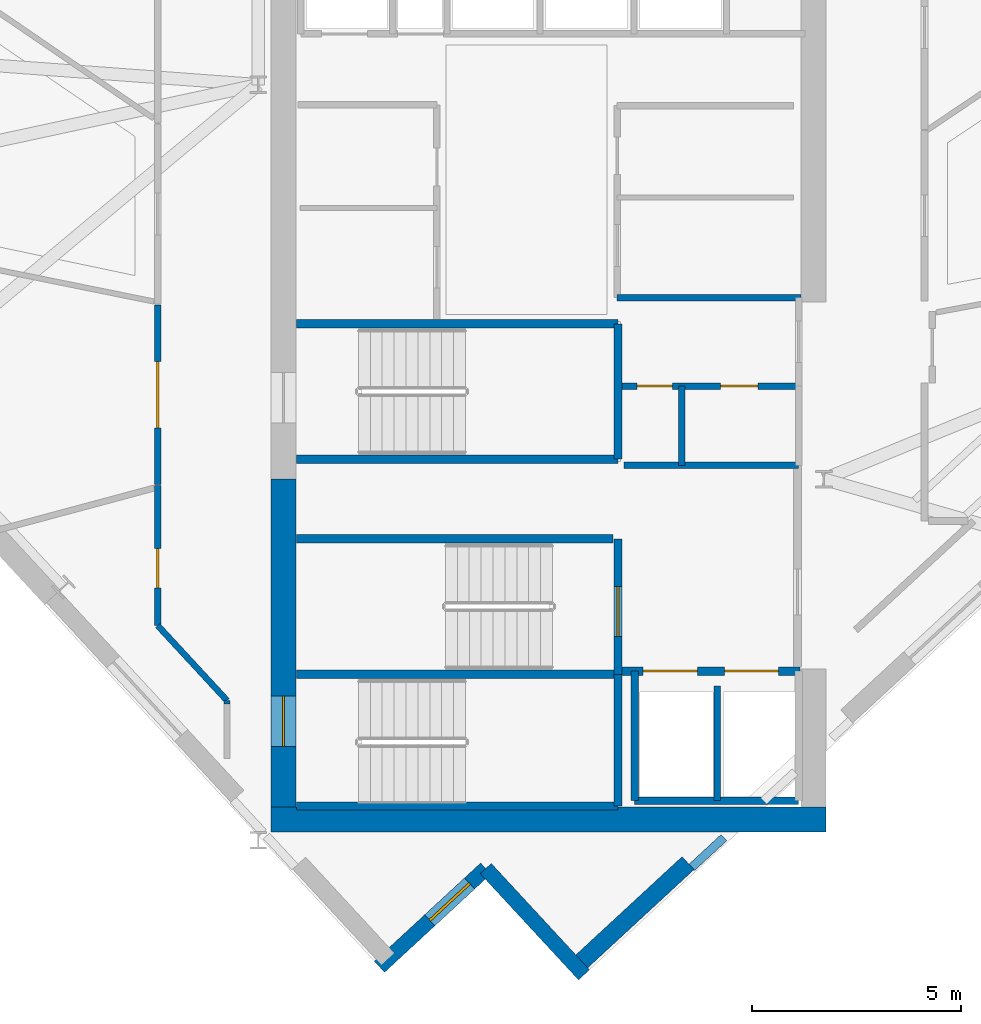
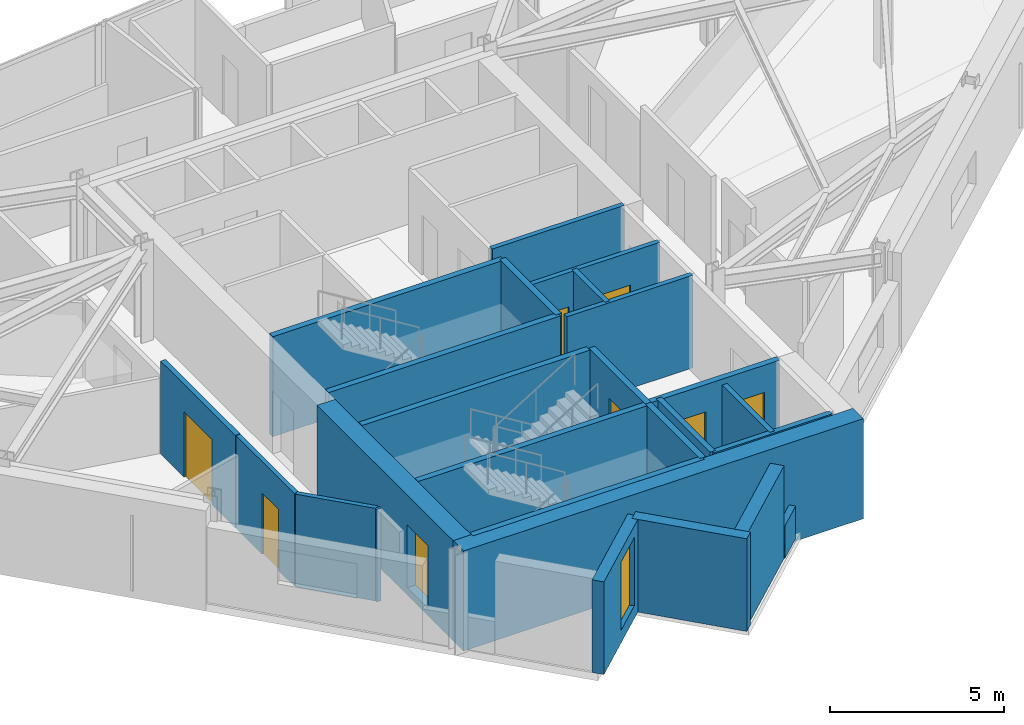
# One storey, part 9 of 14: 26 walls, 8 doors, 1 window, 9 openings.
"""IFC4 building model written with IfcOpenShell, lengths in metres."""

from ifc_helpers import new_model, si_unit, direction, frame, frame_2d, origin, place, context, subcontext, project, spatial, rectangle, extrude, material, layer, layer_set, type_object, element, fill, save


model = new_model("IFC4")

# Units and contexts
model_context = context("Model", 3, precision=1e-05, world=origin(), true_north=direction((0.0, 1.0)))
body_context = subcontext(model_context, "Body", "Model", "MODEL_VIEW")
ifc_project = project(units=[si_unit("LENGTHUNIT", "METRE"), si_unit("AREAUNIT", "SQUARE_METRE"), si_unit("VOLUMEUNIT", "CUBIC_METRE"), si_unit("PLANEANGLEUNIT", "RADIAN"), si_unit("MASSUNIT", "GRAM", prefix="KILO")], contexts=[model_context])

# Site, building, storey
site_placement = place(None, origin())
site = spatial("IfcSite", under=ifc_project, at=site_placement, CompositionType="ELEMENT")
building_placement = place(site_placement, origin())
building = spatial("IfcBuilding", under=site, at=building_placement, Name="Narakoshi Arena Tower", CompositionType="ELEMENT")
storey_placement = place(building_placement, frame((0.0, 0.0, 288.89990234375)))
storey = spatial("IfcBuildingStorey", under=building, at=storey_placement, Name="L79", CompositionType="ELEMENT", Elevation=288.89990234375)

# Wall, opening, door
ifc_material_1 = material(Name="Concrete C50/60", Category="concrete")
ifc_layer_1 = layer(ifc_material_1, 0.60009765625)
ifc_layer_set_1 = layer_set([ifc_layer_1], Name="Concrete C50/60")
wall_type_1 = type_object("IfcWallType", Name="WL-CORE-600", PredefinedType="SHEAR", material=ifc_layer_set_1)
wall_1_placement = place(storey_placement, frame((72.60009765625, 35.5, -0.260009765625), z_axis=(0.0, 0.0, 1.0), x_axis=(0.0, 1.0, 0.0)))
wall_1 = element("IfcWall", 1, at=wall_1_placement, inside=storey, type_object=wall_type_1, Name="L79 Central Core Shear Wall CW-APX-W", PredefinedType="SHEAR", context=body_context, shape_type="SweptSolid", body=[
    extrude(rectangle(XDim=7.85009765625, YDim=0.60009765625, at=frame_2d((3.925048828125, 0.0))), origin(), (0.0, 0.0, 1.0), 3.52001953125),
])
opening_1_placement = place(wall_1_placement, frame((1.449951171875, 0.0, 0.260009765625)))
opening_1 = element("IfcOpeningElement", 2, at=opening_1_placement, cuts=wall_1, Name="Opening D-03", PredefinedType="OPENING", context=body_context, shape_type="SweptSolid", body=[
    extrude(rectangle(XDim=1.199951171875, YDim=2.199951171875, at=frame_2d((0.60009765625, 1.10009765625))), frame((0.0, 0.31005859375, 0.0), z_axis=(0.0, -1.0, 0.0), x_axis=(1.0, 0.0, 0.0)), (0.0, 0.0, 1.0), 0.6201171875),
])
ifc_material_2 = material(Name="Painted galvanized steel", Category="steel")
door_type_1 = type_object("IfcDoorType", Name="DR-STR-1200", OperationType="NOTDEFINED", PredefinedType="USERDEFINED", material=ifc_material_2)
door_1_placement = place(opening_1_placement, frame((1.199951171875, 0.0, 0.0), z_axis=(0.0, 0.0, 1.0), x_axis=(-1.0, 0.0, 0.0)))
door_1 = element("IfcDoor", 3, at=door_1_placement, inside=storey, type_object=door_type_1, Name="DR-L79-001", ObjectType="EXITDOOR", OperationType="SINGLE_SWING_LEFT", OverallHeight=2.199951171875, OverallWidth=1.199951171875, PredefinedType="USERDEFINED", context=body_context, shape_type="SweptSolid", body=[
    extrude(rectangle(XDim=1.199951171875, YDim=2.199951171875, at=frame_2d((0.60009765625, 1.10009765625))), frame((0.0, 0.02490234375, 0.0), z_axis=(0.0, -1.0, 0.0), x_axis=(1.0, 0.0, 0.0)), (0.0, 0.0, 1.0), 0.050048828125),
])
fill(opening_1, door_1)

# Wall
wall_2_placement = place(storey_placement, frame((72.300048828125, 35.199951171875, -0.260009765625), z_axis=(0.0, 0.0, 1.0), x_axis=(1.0, 0.0, 0.0)))
element("IfcWall", 4, at=wall_2_placement, inside=storey, type_object=wall_type_1, Name="L79 Central Core Shear Wall CW-APX-S", PredefinedType="SHEAR", context=body_context, shape_type="SweptSolid", body=[
    extrude(rectangle(XDim=13.300048828125, YDim=0.60009765625, at=frame_2d((6.64990234375, 0.0))), origin(), (0.0, 0.0, 1.0), 3.52001953125),
])

# Wall, opening, door
ifc_material_3 = material(Name="Gypsum plasterboard fire-rated partition")
ifc_layer_2 = layer(ifc_material_3, 0.1650390625)
ifc_layer_set_2 = layer_set([ifc_layer_2], Name="Gypsum plasterboard fire-rated partition")
wall_type_2 = type_object("IfcWallType", Name="WL-CORR-165", PredefinedType="PARTITIONING", material=ifc_layer_set_2)
wall_3_placement = place(storey_placement, frame((69.591552734375, 47.526611328125, 0.0), z_axis=(0.0, 0.0, 1.0), x_axis=(0.0, -1.0, 0.0)))
wall_3 = element("IfcWall", 5, at=wall_3_placement, inside=storey, type_object=wall_type_2, Name="L79 Corridor Partition 09-1", PredefinedType="PARTITIONING", context=body_context, shape_type="SweptSolid", body=[
    extrude(rectangle(XDim=4.30419921875, YDim=0.1650390625, at=frame_2d((2.152099609375, 0.0))), origin(), (0.0, 0.0, 1.0), 3.260009765625),
])
opening_2_placement = place(wall_3_placement, frame((1.35205078125, 0.0, 0.0)))
opening_2 = element("IfcOpeningElement", 6, at=opening_2_placement, cuts=wall_3, Name="Opening D-05", PredefinedType="OPENING", context=body_context, shape_type="SweptSolid", body=[
    extrude(rectangle(XDim=1.60009765625, YDim=2.300048828125, at=frame_2d((0.800048828125, 1.14990234375))), frame((0.0, 0.092529296875, 0.0), z_axis=(0.0, -1.0, 0.0), x_axis=(1.0, 0.0, 0.0)), (0.0, 0.0, 1.0), 0.18505859375),
])
ifc_material_4 = material(Name="Stained oak solid-core timber", Category="wood")
door_type_2 = type_object("IfcDoorType", Name="DR-STE-1600", OperationType="DOUBLE_DOOR_SINGLE_SWING", PredefinedType="DOOR", material=ifc_material_4)
door_2_placement = place(opening_2_placement, frame((1.60009765625, 0.0, 0.0), z_axis=(0.0, 0.0, 1.0), x_axis=(-1.0, 0.0, 0.0)))
door_2 = element("IfcDoor", 7, at=door_2_placement, inside=storey, type_object=door_type_2, Name="DR-L79-024", OperationType="DOUBLE_DOOR_SINGLE_SWING", OverallHeight=2.300048828125, OverallWidth=1.60009765625, PredefinedType="DOOR", context=body_context, shape_type="SweptSolid", body=[
    extrude(rectangle(XDim=1.60009765625, YDim=2.300048828125, at=frame_2d((0.800048828125, 1.14990234375))), frame((0.0, 0.02490234375, 0.0), z_axis=(0.0, -1.0, 0.0), x_axis=(1.0, 0.0, 0.0)), (0.0, 0.0, 1.0), 0.050048828125),
])
fill(opening_2, door_2)

# Walls
ifc_material_5 = material(Name="Precast concrete C45/55", Category="concrete")
ifc_layer_3 = layer(ifc_material_5, 0.25)
ifc_layer_set_3 = layer_set([ifc_layer_3], Name="Precast concrete C45/55")
wall_type_3 = type_object("IfcWallType", Name="WL-PARA-250", PredefinedType="PARAPET", material=ifc_layer_set_3)
wall_4_placement = place(storey_placement, frame((83.15625, 34.760009765625, 0.0), z_axis=(0.0, 0.0, 1.0), x_axis=(-0.734364355784, -0.678755473609, 0.0)))
element("IfcWall", 8, at=wall_4_placement, inside=storey, type_object=wall_type_3, Name="L79 Crown Sill Upstand Parapet 05", PredefinedType="PARAPET", context=body_context, shape_type="SweptSolid", body=[
    extrude(rectangle(XDim=1.044921875, YDim=0.199951171875, at=frame_2d((0.5224609375, 0.0))), origin(), (0.0, 0.0, 1.0), 1.150146484375),
])
ifc_layer_4 = layer(ifc_material_5, 0.419921875)
ifc_layer_set_4 = layer_set([ifc_layer_4], Name="Precast concrete C45/55")
wall_type_4 = type_object("IfcWallType", Name="WL-POD-420", PredefinedType="SOLIDWALL", material=ifc_layer_set_4)
wall_5_placement = place(storey_placement, frame((79.618896484375, 31.674072265625, 0.0), z_axis=(0.0, 0.0, 1.0), x_axis=(0.734338793707, 0.678783128884, 0.0)))
element("IfcWall", 9, at=wall_5_placement, inside=storey, type_object=wall_type_4, Name="L79 Architectural Concrete Facade Wall LEGA-1", PredefinedType="SOLIDWALL", context=body_context, shape_type="SweptSolid", body=[
    extrude(rectangle(XDim=3.6474609375, YDim=0.419921875, at=frame_2d((1.82373046875, 0.0))), origin(), (0.0, 0.0, 1.0), 3.260009765625),
])

# Wall, opening, window
wall_6_placement = place(storey_placement, frame((74.9033203125, 31.664794921875, 0.0), z_axis=(0.0, 0.0, 1.0), x_axis=(0.734325680362, 0.678797315228, 0.0)))
wall_6 = element("IfcWall", 10, at=wall_6_placement, inside=storey, type_object=wall_type_4, Name="L79 Re-Entrant Corner Notch Wall NTA-1", PredefinedType="SOLIDWALL", context=body_context, shape_type="SweptSolid", body=[
    extrude(rectangle(XDim=3.468994140625, YDim=0.360107421875, at=frame_2d((1.734375, 0.0))), origin(), (0.0, 0.0, 1.0), 3.260009765625),
])
opening_3_placement = place(wall_6_placement, frame((1.64306640625, 0.0, 0.449951171875)))
opening_3 = element("IfcOpeningElement", 11, at=opening_3_placement, cuts=wall_6, Name="Opening WN-06", PredefinedType="OPENING", context=body_context, shape_type="SweptSolid", body=[
    extrude(rectangle(XDim=1.300048828125, YDim=2.39990234375, at=frame_2d((0.64990234375, 1.199951171875))), frame((0.0, 0.18994140625, 0.0), z_axis=(0.0, -1.0, 0.0), x_axis=(1.0, 0.0, 0.0)), (0.0, 0.0, 1.0), 0.380126953125),
])
ifc_material_6 = material(Name="Bronze-tinted low-E laminated glass", Category="glass")
window_type = type_object("IfcWindowType", Name="WIN-NTC-16x24", PartitioningType="SINGLE_PANEL", PredefinedType="WINDOW", material=ifc_material_6)
window_placement = place(opening_3_placement, origin())
window = element("IfcWindow", 12, at=window_placement, inside=storey, type_object=window_type, Name="L79 Corner Notch Window NTA", OverallHeight=2.39990234375, OverallWidth=1.300048828125, PartitioningType="SINGLE_PANEL", PredefinedType="WINDOW", context=body_context, shape_type="SweptSolid", body=[
    extrude(rectangle(XDim=1.300048828125, YDim=2.39990234375, at=frame_2d((0.64990234375, 1.199951171875))), frame((0.0, 0.030029296875, 0.0), z_axis=(0.0, -1.0, 0.0), x_axis=(1.0, 0.0, 0.0)), (0.0, 0.0, 1.0), 0.06005859375),
])
fill(opening_3, window)

# Walls
wall_7_placement = place(storey_placement, frame((77.45068359375, 34.01953125, 0.0), z_axis=(0.0, 0.0, 1.0), x_axis=(0.678835262818, -0.734290600481, 0.0)))
element("IfcWall", 13, at=wall_7_placement, inside=storey, type_object=wall_type_4, Name="L79 Re-Entrant Corner Notch Wall NTA-2", PredefinedType="SOLIDWALL", context=body_context, shape_type="SweptSolid", body=[
    extrude(rectangle(XDim=3.46923828125, YDim=0.360107421875, at=frame_2d((1.734619140625, 0.0))), origin(), (0.0, 0.0, 1.0), 3.260009765625),
])
ifc_material_7 = material(Name="Concrete C40/50", Category="concrete")
ifc_layer_5 = layer(ifc_material_7, 0.280029296875)
ifc_layer_set_5 = layer_set([ifc_layer_5], Name="Concrete C40/50")
wall_type_5 = type_object("IfcWallType", Name="WL-RISER-280", PredefinedType="PLUMBINGWALL", material=ifc_layer_set_5)
wall_8_placement = place(storey_placement, frame((83.0, 35.64990234375, 0.0), z_axis=(0.0, 0.0, 1.0), x_axis=(0.0, 1.0, 0.0)))
element("IfcWall", 14, at=wall_8_placement, inside=storey, type_object=wall_type_5, Name="L79 Core Wall FF-DIV", PredefinedType="PLUMBINGWALL", context=body_context, shape_type="SweptSolid", body=[
    extrude(rectangle(XDim=2.75, YDim=0.159912109375, at=frame_2d((1.375, 0.0))), origin(), (0.0, 0.0, 1.0), 3.260009765625),
])

# Wall, openings, doors
wall_9_placement = place(storey_placement, frame((80.719970703125, 45.580078125, 0.0), z_axis=(0.0, 0.0, 1.0), x_axis=(1.0, 0.0, 0.0)))
wall_9 = element("IfcWall", 15, at=wall_9_placement, inside=storey, type_object=wall_type_5, Name="L79 Core Wall RSR-N", PredefinedType="PLUMBINGWALL", context=body_context, shape_type="SweptSolid", body=[
    extrude(rectangle(XDim=4.22998046875, YDim=0.159912109375, at=frame_2d((2.114990234375, 0.0))), origin(), (0.0, 0.0, 1.0), 3.260009765625),
])
opening_4_placement = place(wall_9_placement, frame((0.35009765625, 0.0, 0.0)))
opening_4 = element("IfcOpeningElement", 16, at=opening_4_placement, cuts=wall_9, Name="Opening D-10", PredefinedType="OPENING", context=body_context, shape_type="SweptSolid", body=[
    extrude(rectangle(XDim=0.85009765625, YDim=2.050048828125, at=frame_2d((0.425048828125, 1.02490234375))), frame((0.0, 0.08984375, 0.0), z_axis=(0.0, -1.0, 0.0), x_axis=(1.0, 0.0, 0.0)), (0.0, 0.0, 1.0), 0.179931640625),
])
opening_5_placement = place(wall_9_placement, frame((2.35009765625, 0.0, 0.0)))
opening_5 = element("IfcOpeningElement", 17, at=opening_5_placement, cuts=wall_9, Name="Opening D-08", PredefinedType="OPENING", context=body_context, shape_type="SweptSolid", body=[
    extrude(rectangle(XDim=0.89990234375, YDim=2.10009765625, at=frame_2d((0.449951171875, 1.050048828125))), frame((0.0, 0.08984375, 0.0), z_axis=(0.0, -1.0, 0.0), x_axis=(1.0, 0.0, 0.0)), (0.0, 0.0, 1.0), 0.179931640625),
])
door_type_3 = type_object("IfcDoorType", Name="DR-RSR-850", OperationType="NOTDEFINED", PredefinedType="DOOR", material=ifc_material_2)
door_3_placement = place(opening_4_placement, frame((0.85009765625, 0.0, 0.0), z_axis=(0.0, 0.0, 1.0), x_axis=(-1.0, 0.0, 0.0)))
door_3 = element("IfcDoor", 18, at=door_3_placement, inside=storey, type_object=door_type_3, Name="DR-L79-008", OperationType="SINGLE_SWING_LEFT", OverallHeight=2.050048828125, OverallWidth=0.85009765625, PredefinedType="DOOR", context=body_context, shape_type="SweptSolid", body=[
    extrude(rectangle(XDim=0.85009765625, YDim=2.050048828125, at=frame_2d((0.425048828125, 1.02490234375))), frame((0.0, 0.02490234375, 0.0), z_axis=(0.0, -1.0, 0.0), x_axis=(1.0, 0.0, 0.0)), (0.0, 0.0, 1.0), 0.050048828125),
])
fill(opening_4, door_3)
ifc_material_8 = material(Name="Moisture-resistant laminate timber", Category="wood")
door_type_4 = type_object("IfcDoorType", Name="DR-WC-900", OperationType="NOTDEFINED", PredefinedType="DOOR", material=ifc_material_8)
door_4_placement = place(opening_5_placement, frame((0.89990234375, 0.0, 0.0), z_axis=(0.0, 0.0, 1.0), x_axis=(-1.0, 0.0, 0.0)))
door_4 = element("IfcDoor", 19, at=door_4_placement, inside=storey, type_object=door_type_4, Name="DR-L79-009", OperationType="SINGLE_SWING_RIGHT", OverallHeight=2.10009765625, OverallWidth=0.89990234375, PredefinedType="DOOR", context=body_context, shape_type="SweptSolid", body=[
    extrude(rectangle(XDim=0.89990234375, YDim=2.10009765625, at=frame_2d((0.449951171875, 1.050048828125))), frame((0.0, 0.02490234375, 0.0), z_axis=(0.0, -1.0, 0.0), x_axis=(1.0, 0.0, 0.0)), (0.0, 0.0, 1.0), 0.050048828125),
])
fill(opening_5, door_4)

# Walls
wall_10_placement = place(storey_placement, frame((80.760009765625, 43.679931640625, 0.0), z_axis=(0.0, 0.0, 1.0), x_axis=(1.0, 0.0, 0.0)))
element("IfcWall", 20, at=wall_10_placement, inside=storey, type_object=wall_type_5, Name="L79 Core Wall RSR-S", PredefinedType="PLUMBINGWALL", context=body_context, shape_type="SweptSolid", body=[
    extrude(rectangle(XDim=4.18994140625, YDim=0.159912109375, at=frame_2d((2.094970703125, 0.0))), origin(), (0.0, 0.0, 1.0), 3.260009765625),
])
wall_11_placement = place(storey_placement, frame((82.14990234375, 43.679931640625, 0.0), z_axis=(0.0, 0.0, 1.0), x_axis=(0.0, 1.0, 0.0)))
element("IfcWall", 21, at=wall_11_placement, inside=storey, type_object=wall_type_5, Name="L79 Core Wall RSR-M", PredefinedType="PLUMBINGWALL", context=body_context, shape_type="SweptSolid", body=[
    extrude(rectangle(XDim=1.900146484375, YDim=0.159912109375, at=frame_2d((0.9501953125, 0.0))), origin(), (0.0, 0.0, 1.0), 3.260009765625),
])
ifc_layer_6 = layer(ifc_material_1, 0.35009765625)
ifc_layer_set_6 = layer_set([ifc_layer_6], Name="Concrete C50/60")
wall_type_6 = type_object("IfcWallType", Name="WL-SHAFT-350", PredefinedType="SOLIDWALL", material=ifc_layer_set_6)
for number, where, z_axis, x_axis, name in (
    (22, (72.919921875, 35.52001953125, -0.260009765625), (0.0, 0.0, 1.0), (1.0, 0.0, 0.0), "L79 Core Wall ST1-S"),
    (23, (72.919921875, 38.675048828125, -0.260009765625), (0.0, 0.0, 1.0), (1.0, 0.0, 0.0), "L79 Core Wall ST12-DIV"),
):
    element("IfcWall", number, at=place(storey_placement, frame(where, z_axis=z_axis, x_axis=x_axis)), inside=storey, type_object=wall_type_6, Name=name, PredefinedType="SOLIDWALL", context=body_context, shape_type="SweptSolid", body=[
        extrude(rectangle(XDim=7.7001953125, YDim=0.199951171875, at=frame_2d((3.85009765625, 0.0))), origin(), (0.0, 0.0, 1.0), 3.52001953125),
    ])
wall_12_placement = place(storey_placement, frame((80.6201171875, 35.52001953125, -0.260009765625), z_axis=(0.0, 0.0, 1.0), x_axis=(0.0, 1.0, 0.0)))
element("IfcWall", 24, at=wall_12_placement, inside=storey, type_object=wall_type_6, Name="L79 Core Wall ST1-E", PredefinedType="SOLIDWALL", context=body_context, shape_type="SweptSolid", body=[
    extrude(rectangle(XDim=3.155029296875, YDim=0.199951171875, at=frame_2d((1.57763671875, 0.0))), origin(), (0.0, 0.0, 1.0), 3.52001953125),
])

# Wall, opening, door
wall_13_placement = place(storey_placement, frame((80.6201171875, 38.675048828125, -0.260009765625), z_axis=(0.0, 0.0, 1.0), x_axis=(0.0, 1.0, 0.0)))
wall_13 = element("IfcWall", 25, at=wall_13_placement, inside=storey, type_object=wall_type_6, Name="L79 Core Wall ST2-E", PredefinedType="SOLIDWALL", context=body_context, shape_type="SweptSolid", body=[
    extrude(rectangle(XDim=3.244873046875, YDim=0.199951171875, at=frame_2d((1.62255859375, 0.0))), origin(), (0.0, 0.0, 1.0), 3.52001953125),
])
opening_6_placement = place(wall_13_placement, frame((0.89990234375, 0.0, 0.260009765625)))
opening_6 = element("IfcOpeningElement", 26, at=opening_6_placement, cuts=wall_13, Name="Opening D-03", PredefinedType="OPENING", context=body_context, shape_type="SweptSolid", body=[
    extrude(rectangle(XDim=1.199951171875, YDim=2.199951171875, at=frame_2d((0.60009765625, 1.10009765625))), frame((0.0, 0.10986328125, 0.0), z_axis=(0.0, -1.0, 0.0), x_axis=(1.0, 0.0, 0.0)), (0.0, 0.0, 1.0), 0.219970703125),
])
door_5_placement = place(opening_6_placement, origin())
door_5 = element("IfcDoor", 27, at=door_5_placement, inside=storey, type_object=door_type_1, Name="DR-L79-002", ObjectType="EXITDOOR", OperationType="SINGLE_SWING_RIGHT", OverallHeight=2.199951171875, OverallWidth=1.199951171875, PredefinedType="USERDEFINED", context=body_context, shape_type="SweptSolid", body=[
    extrude(rectangle(XDim=1.199951171875, YDim=2.199951171875, at=frame_2d((0.60009765625, 1.10009765625))), frame((0.0, 0.02490234375, 0.0), z_axis=(0.0, -1.0, 0.0), x_axis=(1.0, 0.0, 0.0)), (0.0, 0.0, 1.0), 0.050048828125),
])
fill(opening_6, door_5)

# Wall, openings, doors
wall_14_placement = place(storey_placement, frame((80.719970703125, 38.75, 0.0), z_axis=(0.0, 0.0, 1.0), x_axis=(1.0, 0.0, 0.0)))
wall_14 = element("IfcWall", 28, at=wall_14_placement, inside=storey, type_object=wall_type_6, Name="L79 Core Wall FF-N", PredefinedType="SOLIDWALL", context=body_context, shape_type="SweptSolid", body=[
    extrude(rectangle(XDim=4.260009765625, YDim=0.199951171875, at=frame_2d((2.1298828125, 0.0))), origin(), (0.0, 0.0, 1.0), 3.260009765625),
])
opening_7_placement = place(wall_14_placement, frame((0.5, 0.0, 0.0)))
opening_7 = element("IfcOpeningElement", 29, at=opening_7_placement, cuts=wall_14, Name="Opening LD-02", PredefinedType="OPENING", context=body_context, shape_type="SweptSolid", body=[
    extrude(rectangle(XDim=1.300048828125, YDim=2.300048828125, at=frame_2d((0.64990234375, 1.14990234375))), frame((0.0, 0.10986328125, 0.0), z_axis=(0.0, -1.0, 0.0), x_axis=(1.0, 0.0, 0.0)), (0.0, 0.0, 1.0), 0.219970703125),
])
opening_8_placement = place(wall_14_placement, frame((2.449951171875, 0.0, 0.0)))
opening_8 = element("IfcOpeningElement", 30, at=opening_8_placement, cuts=wall_14, Name="Opening LD-02", PredefinedType="OPENING", context=body_context, shape_type="SweptSolid", body=[
    extrude(rectangle(XDim=1.300048828125, YDim=2.300048828125, at=frame_2d((0.64990234375, 1.14990234375))), frame((0.0, 0.10986328125, 0.0), z_axis=(0.0, -1.0, 0.0), x_axis=(1.0, 0.0, 0.0)), (0.0, 0.0, 1.0), 0.219970703125),
])
ifc_material_9 = material(Name="Brushed bronze stainless steel", Category="steel")
door_type_5 = type_object("IfcDoorType", Name="DR-LFT-1300", OperationType="DOUBLE_DOOR_SLIDING", PredefinedType="DOOR", material=ifc_material_9)
door_6_placement = place(opening_7_placement, origin())
door_6 = element("IfcDoor", 31, at=door_6_placement, inside=storey, type_object=door_type_5, Name="DR-L79-003", OperationType="DOUBLE_DOOR_SLIDING", OverallHeight=2.300048828125, OverallWidth=1.300048828125, PredefinedType="DOOR", context=body_context, shape_type="SweptSolid", body=[
    extrude(rectangle(XDim=1.300048828125, YDim=2.300048828125, at=frame_2d((0.64990234375, 1.14990234375))), frame((0.0, 0.02490234375, 0.0), z_axis=(0.0, -1.0, 0.0), x_axis=(1.0, 0.0, 0.0)), (0.0, 0.0, 1.0), 0.050048828125),
])
fill(opening_7, door_6)
door_7_placement = place(opening_8_placement, origin())
door_7 = element("IfcDoor", 32, at=door_7_placement, inside=storey, type_object=door_type_5, Name="DR-L79-004", OperationType="DOUBLE_DOOR_SLIDING", OverallHeight=2.300048828125, OverallWidth=1.300048828125, PredefinedType="DOOR", context=body_context, shape_type="SweptSolid", body=[
    extrude(rectangle(XDim=1.300048828125, YDim=2.300048828125, at=frame_2d((0.64990234375, 1.14990234375))), frame((0.0, 0.02490234375, 0.0), z_axis=(0.0, -1.0, 0.0), x_axis=(1.0, 0.0, 0.0)), (0.0, 0.0, 1.0), 0.050048828125),
])
fill(opening_8, door_7)

# Walls
wall_15_placement = place(storey_placement, frame((81.02001953125, 35.64990234375, 0.0), z_axis=(0.0, 0.0, 1.0), x_axis=(0.0, 1.0, 0.0)))
element("IfcWall", 33, at=wall_15_placement, inside=storey, type_object=wall_type_6, Name="L79 Core Wall FF-W", PredefinedType="SOLIDWALL", context=body_context, shape_type="SweptSolid", body=[
    extrude(rectangle(XDim=3.10009765625, YDim=0.179931640625, at=frame_2d((1.550048828125, 0.0))), origin(), (0.0, 0.0, 1.0), 3.260009765625),
])
wall_16_placement = place(storey_placement, frame((81.02001953125, 35.64990234375, 0.0), z_axis=(0.0, 0.0, 1.0), x_axis=(1.0, 0.0, 0.0)))
element("IfcWall", 34, at=wall_16_placement, inside=storey, type_object=wall_type_6, Name="L79 Core Wall FF-S", PredefinedType="SOLIDWALL", context=body_context, shape_type="SweptSolid", body=[
    extrude(rectangle(XDim=3.929931640625, YDim=0.179931640625, at=frame_2d((1.96484375, 0.0))), origin(), (0.0, 0.0, 1.0), 3.260009765625),
])
wall_17_placement = place(storey_placement, frame((72.919921875, 41.919921875, -0.260009765625), z_axis=(0.0, 0.0, 1.0), x_axis=(1.0, 0.0, 0.0)))
element("IfcWall", 35, at=wall_17_placement, inside=storey, type_object=wall_type_6, Name="L79 Core Wall ST2-N", PredefinedType="SOLIDWALL", context=body_context, shape_type="SweptSolid", body=[
    extrude(rectangle(XDim=7.580078125, YDim=0.199951171875, at=frame_2d((3.7900390625, 0.0))), origin(), (0.0, 0.0, 1.0), 3.52001953125),
])
for number, where, z_axis, x_axis, name in (
    (36, (72.919921875, 43.830078125, -0.260009765625), (0.0, 0.0, 1.0), (1.0, 0.0, 0.0), "L79 Core Wall ST3-S"),
    (37, (72.919921875, 47.070068359375, -0.260009765625), (0.0, 0.0, 1.0), (1.0, 0.0, 0.0), "L79 Core Wall ST3-N"),
):
    element("IfcWall", number, at=place(storey_placement, frame(where, z_axis=z_axis, x_axis=x_axis)), inside=storey, type_object=wall_type_6, Name=name, PredefinedType="SOLIDWALL", context=body_context, shape_type="SweptSolid", body=[
        extrude(rectangle(XDim=7.7001953125, YDim=0.199951171875, at=frame_2d((3.85009765625, 0.0))), origin(), (0.0, 0.0, 1.0), 3.52001953125),
    ])
wall_18_placement = place(storey_placement, frame((80.6201171875, 43.830078125, -0.260009765625), z_axis=(0.0, 0.0, 1.0), x_axis=(0.0, 1.0, 0.0)))
element("IfcWall", 38, at=wall_18_placement, inside=storey, type_object=wall_type_6, Name="L79 Core Wall ST3-E", PredefinedType="SOLIDWALL", context=body_context, shape_type="SweptSolid", body=[
    extrude(rectangle(XDim=3.239990234375, YDim=0.199951171875, at=frame_2d((1.6201171875, 0.0))), origin(), (0.0, 0.0, 1.0), 3.52001953125),
])
wall_19_placement = place(storey_placement, frame((80.60009765625, 47.699951171875, 0.0), z_axis=(0.0, 0.0, 1.0), x_axis=(1.0, 0.0, 0.0)))
element("IfcWall", 39, at=wall_19_placement, inside=storey, type_object=wall_type_6, Name="L79 Core Wall MR-S", PredefinedType="SOLIDWALL", context=body_context, shape_type="SweptSolid", body=[
    extrude(rectangle(XDim=4.39990234375, YDim=0.159912109375, at=frame_2d((2.199951171875, 0.0))), origin(), (0.0, 0.0, 1.0), 3.260009765625),
])

# Wall, opening, door
ifc_material_10 = material(Name="Moisture-resistant cement-board partition")
ifc_layer_7 = layer(ifc_material_10, 0.14501953125)
ifc_layer_set_7 = layer_set([ifc_layer_7], Name="Moisture-resistant cement-board partition")
wall_type_7 = type_object("IfcWallType", Name="WL-WET-145", PredefinedType="PARTITIONING", material=ifc_layer_set_7)
wall_20_placement = place(storey_placement, frame((69.591552734375, 43.197509765625, 0.0), z_axis=(0.0, 0.0, 1.0), x_axis=(0.0, -1.0, 0.0)))
wall_20 = element("IfcWall", 40, at=wall_20_placement, inside=storey, type_object=wall_type_7, Name="L79 Corridor Partition 01-1", PredefinedType="PARTITIONING", context=body_context, shape_type="SweptSolid", body=[
    extrude(rectangle(XDim=3.35595703125, YDim=0.14501953125, at=frame_2d((1.677978515625, 0.0))), origin(), (0.0, 0.0, 1.0), 3.260009765625),
])
opening_9_placement = place(wall_20_placement, frame((1.50390625, 0.0, 0.0)))
opening_9 = element("IfcOpeningElement", 41, at=opening_9_placement, cuts=wall_20, Name="Opening D-07", PredefinedType="OPENING", context=body_context, shape_type="SweptSolid", body=[
    extrude(rectangle(XDim=0.949951171875, YDim=2.14990234375, at=frame_2d((0.47509765625, 1.074951171875))), frame((0.0, 0.08251953125, 0.0), z_axis=(0.0, -1.0, 0.0), x_axis=(1.0, 0.0, 0.0)), (0.0, 0.0, 1.0), 0.1650390625),
])
door_type_6 = type_object("IfcDoorType", Name="DR-ACC-950", OperationType="NOTDEFINED", PredefinedType="DOOR", material=ifc_material_4)
door_8_placement = place(opening_9_placement, frame((0.949951171875, 0.0, 0.0), z_axis=(0.0, 0.0, 1.0), x_axis=(-1.0, 0.0, 0.0)))
door_8 = element("IfcDoor", 42, at=door_8_placement, inside=storey, type_object=door_type_6, Name="DR-L79-016", OperationType="SINGLE_SWING_LEFT", OverallHeight=2.14990234375, OverallWidth=0.949951171875, PredefinedType="DOOR", context=body_context, shape_type="SweptSolid", body=[
    extrude(rectangle(XDim=0.949951171875, YDim=2.14990234375, at=frame_2d((0.47509765625, 1.074951171875))), frame((0.0, 0.02490234375, 0.0), z_axis=(0.0, -1.0, 0.0), x_axis=(1.0, 0.0, 0.0)), (0.0, 0.0, 1.0), 0.050048828125),
])
fill(opening_9, door_8)

# Walls
wall_21_placement = place(storey_placement, frame((69.591552734375, 39.841552734375, 0.0), z_axis=(0.0, 0.0, 1.0), x_axis=(0.678831926871, -0.734293684476, 0.0)))
element("IfcWall", 43, at=wall_21_placement, inside=storey, type_object=wall_type_7, Name="L79 Corridor Partition 01-2", PredefinedType="PARTITIONING", context=body_context, shape_type="SweptSolid", body=[
    extrude(rectangle(XDim=2.443115234375, YDim=0.14501953125, at=frame_2d((1.2216796875, 0.0))), origin(), (0.0, 0.0, 1.0), 3.260009765625),
])
wall_22_placement = place(storey_placement, frame((71.25, 38.047607421875, 0.0), z_axis=(0.0, 0.0, 1.0), x_axis=(0.0, -1.0, 0.0)))
element("IfcWall", 44, at=wall_22_placement, inside=storey, type_object=wall_type_7, Name="L79 Corridor Partition 01-3", PredefinedType="PARTITIONING", context=body_context, shape_type="SweptSolid", body=[
    extrude(rectangle(XDim=0.088623046875, YDim=0.14501953125, at=frame_2d((0.04443359375, 0.0))), origin(), (0.0, 0.0, 1.0), 3.260009765625),
])

save(model, "model.ifc")
